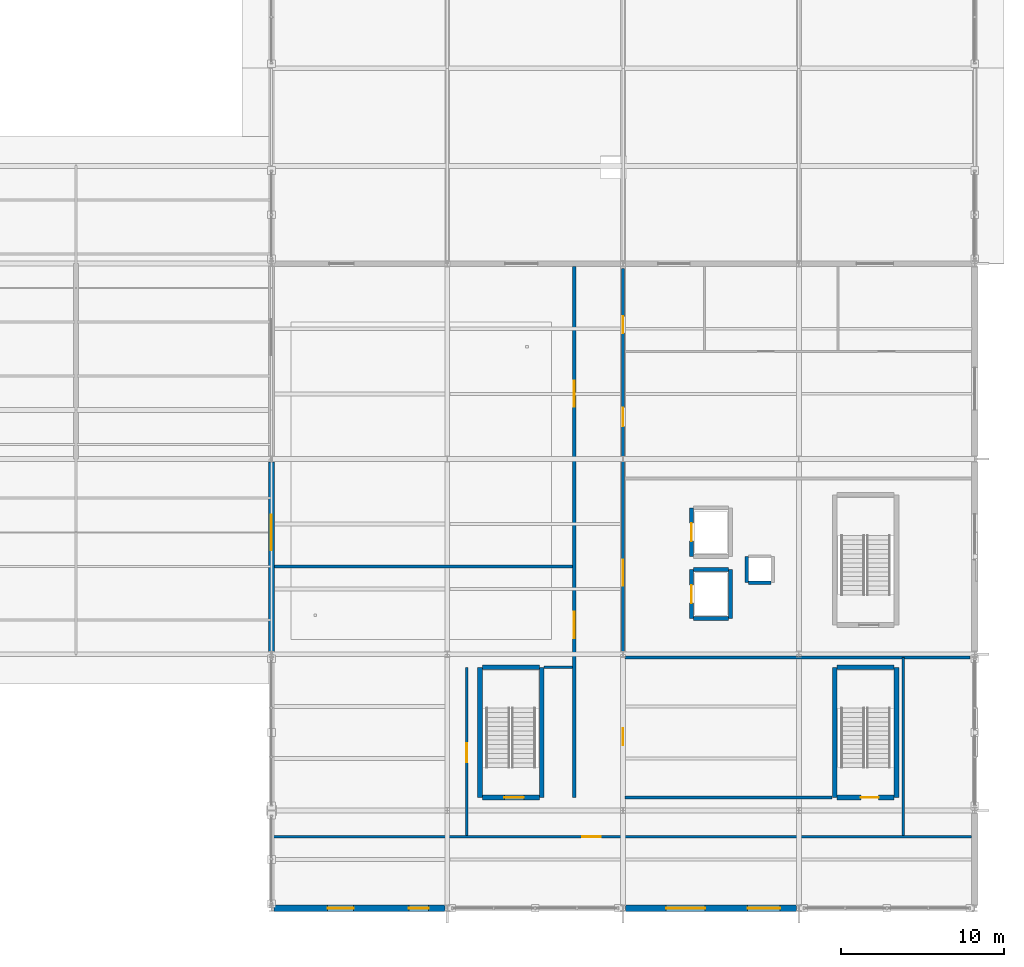
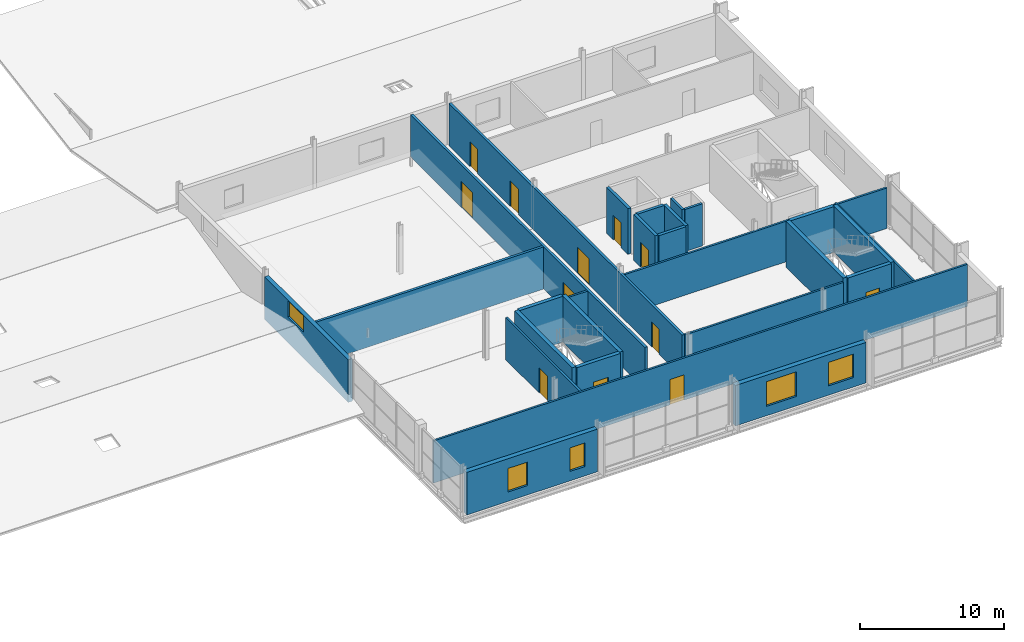
# One storey, part 107 of 117: 27 walls, 12 doors, 5 windows, 17 openings.
"""IFC4 building model written with IfcOpenShell, lengths in metres."""

from ifc_helpers import new_model, si_unit, direction, frame, frame_2d, origin, place, context, subcontext, project, spatial, rectangle, extrude, material, layer, layer_set, type_object, element, fill, save


model = new_model("IFC4")

# Units and contexts
model_context = context("Model", 3, precision=1e-05, world=origin(), true_north=direction((0.0, 1.0)))
body_context = subcontext(model_context, "Body", "Model", "MODEL_VIEW")
ifc_project = project(units=[si_unit("LENGTHUNIT", "METRE"), si_unit("AREAUNIT", "SQUARE_METRE"), si_unit("VOLUMEUNIT", "CUBIC_METRE"), si_unit("PLANEANGLEUNIT", "RADIAN"), si_unit("MASSUNIT", "GRAM", prefix="KILO")], contexts=[model_context])

# Site, building, storey
site_placement = place(None, origin())
site = spatial("IfcSite", under=ifc_project, at=site_placement, CompositionType="ELEMENT")
building_placement = place(site_placement, origin())
building = spatial("IfcBuilding", under=site, at=building_placement, Name="Merenkruunu Market Hall", CompositionType="ELEMENT")
storey_placement = place(building_placement, frame((0.0, 0.0, 10.199951171875)))
storey = spatial("IfcBuildingStorey", under=building, at=storey_placement, Name="L02", CompositionType="ELEMENT", Elevation=10.199951171875)

# Wall, openings, windows
ifc_material_1 = material(Name="Precast concrete C40/50", Category="concrete")
ifc_layer_1 = layer(ifc_material_1, 0.3798828125)
ifc_layer_set_1 = layer_set([ifc_layer_1], Name="Precast concrete C40/50")
wall_type_1 = type_object("IfcWallType", Name="Exterior Envelope Wall EW02", PredefinedType="STANDARD", material=ifc_layer_set_1)
wall_1_placement = place(storey_placement, frame((159.446044921875, 0.0, 0.0), z_axis=(0.0, 0.0, 1.0), x_axis=(-1.0, 0.0, 0.0)))
wall_1 = element("IfcWall", 1, at=wall_1_placement, inside=storey, type_object=wall_type_1, Name="WALL-EXT-L02-0084", PredefinedType="STANDARD", context=body_context, shape_type="SweptSolid", body=[
    extrude(rectangle(XDim=10.491943359375, YDim=0.3798828125, at=frame_2d((5.24609375, 0.0))), origin(), (0.0, 0.0, 1.0), 3.625),
])
opening_1_placement = place(wall_1_placement, frame((1.0, 0.0, 0.800048828125)))
opening_1 = element("IfcOpeningElement", 2, at=opening_1_placement, cuts=wall_1, Name="Opening WN08", PredefinedType="OPENING", context=body_context, shape_type="SweptSolid", body=[
    extrude(rectangle(XDim=1.199951171875, YDim=2.0, at=frame_2d((0.60009765625, 1.0))), frame((0.0, 0.199951171875, 0.0), z_axis=(0.0, -1.0, 0.0), x_axis=(1.0, 0.0, 0.0)), (0.0, 0.0, 1.0), 0.39990234375),
])
opening_2_placement = place(wall_1_placement, frame((5.60009765625, 0.0, 0.800048828125)))
opening_2 = element("IfcOpeningElement", 3, at=opening_2_placement, cuts=wall_1, Name="Opening WN09", PredefinedType="OPENING", context=body_context, shape_type="SweptSolid", body=[
    extrude(rectangle(XDim=1.60009765625, YDim=2.0, at=frame_2d((0.800048828125, 1.0))), frame((0.0, 0.199951171875, 0.0), z_axis=(0.0, -1.0, 0.0), x_axis=(1.0, 0.0, 0.0)), (0.0, 0.0, 1.0), 0.39990234375),
])
ifc_material_2 = material(Name="Triple low-E insulated glass", Category="glass")
ifc_layer_2 = layer(ifc_material_2, 0.06005859375)
ifc_layer_set_2 = layer_set([ifc_layer_2], Name="Triple low-E insulated glass")
window_type_1 = type_object("IfcWindowType", Name="Exterior Window WN08", PartitioningType="SINGLE_PANEL", PredefinedType="WINDOW", material=ifc_layer_set_2)
window_1_placement = place(opening_1_placement, origin())
window_1 = element("IfcWindow", 4, at=window_1_placement, inside=storey, type_object=window_type_1, Name="WIN-L02-0038", OverallHeight=2.0, OverallWidth=1.199951171875, PartitioningType="SINGLE_PANEL", PredefinedType="WINDOW", context=body_context, shape_type="SweptSolid", body=[
    extrude(rectangle(XDim=1.199951171875, YDim=2.0, at=frame_2d((0.60009765625, 1.0))), frame((0.0, 0.030029296875, 0.0), z_axis=(0.0, -1.0, 0.0), x_axis=(1.0, 0.0, 0.0)), (0.0, 0.0, 1.0), 0.06005859375),
])
fill(opening_1, window_1)
ifc_layer_3 = layer(ifc_material_2, 0.06005859375)
ifc_layer_set_3 = layer_set([ifc_layer_3], Name="Triple low-E insulated glass")
window_type_2 = type_object("IfcWindowType", Name="Exterior Window WN09", PartitioningType="SINGLE_PANEL", PredefinedType="WINDOW", material=ifc_layer_set_3)
window_2_placement = place(opening_2_placement, origin())
window_2 = element("IfcWindow", 5, at=window_2_placement, inside=storey, type_object=window_type_2, Name="WIN-L02-0039", OverallHeight=2.0, OverallWidth=1.60009765625, PartitioningType="SINGLE_PANEL", PredefinedType="WINDOW", context=body_context, shape_type="SweptSolid", body=[
    extrude(rectangle(XDim=1.60009765625, YDim=2.0, at=frame_2d((0.800048828125, 1.0))), frame((0.0, 0.030029296875, 0.0), z_axis=(0.0, -1.0, 0.0), x_axis=(1.0, 0.0, 0.0)), (0.0, 0.0, 1.0), 0.06005859375),
])
fill(opening_2, window_2)

wall_2_placement = place(storey_placement, frame((181.0458984375, 0.0, 0.0), z_axis=(0.0, 0.0, 1.0), x_axis=(-1.0, 0.0, 0.0)))
wall_2 = element("IfcWall", 6, at=wall_2_placement, inside=storey, type_object=wall_type_1, Name="WALL-EXT-L02-0085", PredefinedType="STANDARD", context=body_context, shape_type="SweptSolid", body=[
    extrude(rectangle(XDim=10.491943359375, YDim=0.3798828125, at=frame_2d((5.24609375, 0.0))), origin(), (0.0, 0.0, 1.0), 3.445068359375),
])
opening_3_placement = place(wall_2_placement, frame((1.0, 0.0, 0.800048828125)))
opening_3 = element("IfcOpeningElement", 7, at=opening_3_placement, cuts=wall_2, Name="Opening WN10", PredefinedType="OPENING", context=body_context, shape_type="SweptSolid", body=[
    extrude(rectangle(XDim=2.0, YDim=2.0, at=frame_2d((1.0, 1.0))), frame((0.0, 0.199951171875, 0.0), z_axis=(0.0, -1.0, 0.0), x_axis=(1.0, 0.0, 0.0)), (0.0, 0.0, 1.0), 0.39990234375),
])
opening_4_placement = place(wall_2_placement, frame((5.60009765625, 0.0, 0.800048828125)))
opening_4 = element("IfcOpeningElement", 8, at=opening_4_placement, cuts=wall_2, Name="Opening WN11", PredefinedType="OPENING", context=body_context, shape_type="SweptSolid", body=[
    extrude(rectangle(XDim=2.39990234375, YDim=2.10009765625, at=frame_2d((1.199951171875, 1.050048828125))), frame((0.0, 0.199951171875, 0.0), z_axis=(0.0, -1.0, 0.0), x_axis=(1.0, 0.0, 0.0)), (0.0, 0.0, 1.0), 0.39990234375),
])
ifc_layer_4 = layer(ifc_material_2, 0.06005859375)
ifc_layer_set_4 = layer_set([ifc_layer_4], Name="Triple low-E insulated glass")
window_type_3 = type_object("IfcWindowType", Name="Exterior Window WN10", PartitioningType="SINGLE_PANEL", PredefinedType="WINDOW", material=ifc_layer_set_4)
window_3_placement = place(opening_3_placement, origin())
window_3 = element("IfcWindow", 9, at=window_3_placement, inside=storey, type_object=window_type_3, Name="WIN-L02-0040", OverallHeight=2.0, OverallWidth=2.0, PartitioningType="SINGLE_PANEL", PredefinedType="WINDOW", context=body_context, shape_type="SweptSolid", body=[
    extrude(rectangle(XDim=2.0, YDim=2.0, at=frame_2d((1.0, 1.0))), frame((0.0, 0.030029296875, 0.0), z_axis=(0.0, -1.0, 0.0), x_axis=(1.0, 0.0, 0.0)), (0.0, 0.0, 1.0), 0.06005859375),
])
fill(opening_3, window_3)
ifc_layer_5 = layer(ifc_material_2, 0.06005859375)
ifc_layer_set_5 = layer_set([ifc_layer_5], Name="Triple low-E insulated glass")
window_type_4 = type_object("IfcWindowType", Name="Exterior Window WN11", PartitioningType="SINGLE_PANEL", PredefinedType="WINDOW", material=ifc_layer_set_5)
window_4_placement = place(opening_4_placement, origin())
window_4 = element("IfcWindow", 10, at=window_4_placement, inside=storey, type_object=window_type_4, Name="WIN-L02-0041", OverallHeight=2.10009765625, OverallWidth=2.39990234375, PartitioningType="SINGLE_PANEL", PredefinedType="WINDOW", context=body_context, shape_type="SweptSolid", body=[
    extrude(rectangle(XDim=2.39990234375, YDim=2.10009765625, at=frame_2d((1.199951171875, 1.050048828125))), frame((0.0, 0.030029296875, 0.0), z_axis=(0.0, -1.0, 0.0), x_axis=(1.0, 0.0, 0.0)), (0.0, 0.0, 1.0), 0.06005859375),
])
fill(opening_4, window_4)

# Wall, opening, window
ifc_layer_6 = layer(ifc_material_1, 0.340087890625)
ifc_layer_set_6 = layer_set([ifc_layer_6], Name="Precast concrete C40/50")
wall_type_2 = type_object("IfcWallType", Name="Exterior Envelope Wall EW03", PredefinedType="STANDARD", material=ifc_layer_set_6)
wall_3_placement = place(storey_placement, frame((148.800048828125, 15.779052734375, 0.0), z_axis=(0.0, 0.0, 1.0), x_axis=(0.0, 1.0, 0.0)))
wall_3 = element("IfcWall", 11, at=wall_3_placement, inside=storey, type_object=wall_type_2, Name="WALL-EXT-L02-0093", PredefinedType="STANDARD", context=body_context, shape_type="SweptSolid", body=[
    extrude(rectangle(XDim=11.641845703125, YDim=0.340087890625, at=frame_2d((5.82080078125, 0.0))), origin(), (0.0, 0.0, 1.0), 3.625),
])
opening_5_placement = place(wall_3_placement, frame((6.199951171875, 0.0, 2.179931640625)))
opening_5 = element("IfcOpeningElement", 12, at=opening_5_placement, cuts=wall_3, Name="Opening WN15", PredefinedType="OPENING", context=body_context, shape_type="SweptSolid", body=[
    extrude(rectangle(XDim=2.199951171875, YDim=1.39990234375, at=frame_2d((1.10009765625, 0.699951171875))), frame((0.0, 0.18017578125, 0.0), z_axis=(0.0, -1.0, 0.0), x_axis=(1.0, 0.0, 0.0)), (0.0, 0.0, 1.0), 0.360107421875),
])
ifc_layer_7 = layer(ifc_material_2, 0.06005859375)
ifc_layer_set_7 = layer_set([ifc_layer_7], Name="Triple low-E insulated glass")
window_type_5 = type_object("IfcWindowType", Name="Exterior Window WN15", PartitioningType="SINGLE_PANEL", PredefinedType="WINDOW", material=ifc_layer_set_7)
window_5_placement = place(opening_5_placement, origin())
window_5 = element("IfcWindow", 13, at=window_5_placement, inside=storey, type_object=window_type_5, Name="WIN-L02-0048", OverallHeight=1.39990234375, OverallWidth=2.199951171875, PartitioningType="SINGLE_PANEL", PredefinedType="WINDOW", context=body_context, shape_type="SweptSolid", body=[
    extrude(rectangle(XDim=2.199951171875, YDim=1.39990234375, at=frame_2d((1.10009765625, 0.699951171875))), frame((0.0, 0.030029296875, 0.0), z_axis=(0.0, -1.0, 0.0), x_axis=(1.0, 0.0, 0.0)), (0.0, 0.0, 1.0), 0.06005859375),
])
fill(opening_5, window_5)

# Wall, openings, doors
ifc_material_3 = material(Name="Gypsum fire compartment board")
ifc_layer_8 = layer(ifc_material_3, 0.199951171875)
ifc_layer_set_8 = layer_set([ifc_layer_8], Name="Gypsum fire compartment board")
wall_type_3 = type_object("IfcWallType", Name="Interior Partition Wall FW02", PredefinedType="PARTITIONING", material=ifc_layer_set_8)
wall_4_placement = place(storey_placement, frame((167.39990234375, 6.800048828125, 0.0), z_axis=(0.0, 0.0, 1.0), x_axis=(0.0, 1.0, 0.0)))
wall_4 = element("IfcWall", 14, at=wall_4_placement, inside=storey, type_object=wall_type_3, Name="WALL-INT-L02-0074", PredefinedType="PARTITIONING", context=body_context, shape_type="SweptSolid", body=[
    extrude(rectangle(XDim=32.6279296875, YDim=0.199951171875, at=frame_2d((16.31396484375, 0.0))), origin(), (0.0, 0.0, 1.0), 3.580078125),
])
opening_6_placement = place(wall_4_placement, frame((9.800048828125, 0.0, 0.0)))
opening_6 = element("IfcOpeningElement", 15, at=opening_6_placement, cuts=wall_4, Name="Opening FD05", PredefinedType="OPENING", context=body_context, shape_type="SweptSolid", body=[
    extrude(rectangle(XDim=1.60009765625, YDim=2.199951171875, at=frame_2d((0.800048828125, 1.10009765625))), frame((0.0, 0.10986328125, 0.0), z_axis=(0.0, -1.0, 0.0), x_axis=(1.0, 0.0, 0.0)), (0.0, 0.0, 1.0), 0.219970703125),
])
opening_7_placement = place(wall_4_placement, frame((24.0, 0.0, 0.0)))
opening_7 = element("IfcOpeningElement", 16, at=opening_7_placement, cuts=wall_4, Name="Opening FD05", PredefinedType="OPENING", context=body_context, shape_type="SweptSolid", body=[
    extrude(rectangle(XDim=1.60009765625, YDim=2.199951171875, at=frame_2d((0.800048828125, 1.10009765625))), frame((0.0, 0.10986328125, 0.0), z_axis=(0.0, -1.0, 0.0), x_axis=(1.0, 0.0, 0.0)), (0.0, 0.0, 1.0), 0.219970703125),
])
ifc_material_4 = material(Name="Powder-coated aluminium", Category="aluminium")
door_type_1 = type_object("IfcDoorType", Name="Fire Compartment Door FD05", OperationType="NOTDEFINED", PredefinedType="DOOR", material=ifc_material_4)
door_1_placement = place(opening_6_placement, origin())
door_1 = element("IfcDoor", 17, at=door_1_placement, inside=storey, type_object=door_type_1, Name="DR-L02-072", OperationType="SINGLE_SWING_RIGHT", OverallHeight=2.199951171875, OverallWidth=1.60009765625, PredefinedType="DOOR", context=body_context, shape_type="SweptSolid", body=[
    extrude(rectangle(XDim=1.60009765625, YDim=2.199951171875, at=frame_2d((0.800048828125, 1.10009765625))), frame((0.0, 0.02490234375, 0.0), z_axis=(0.0, -1.0, 0.0), x_axis=(1.0, 0.0, 0.0)), (0.0, 0.0, 1.0), 0.050048828125),
])
fill(opening_6, door_1)
door_2_placement = place(opening_7_placement, origin())
door_2 = element("IfcDoor", 18, at=door_2_placement, inside=storey, type_object=door_type_1, Name="DR-L02-073", OperationType="SINGLE_SWING_LEFT", OverallHeight=2.199951171875, OverallWidth=1.60009765625, PredefinedType="DOOR", context=body_context, shape_type="SweptSolid", body=[
    extrude(rectangle(XDim=1.60009765625, YDim=2.199951171875, at=frame_2d((0.800048828125, 1.10009765625))), frame((0.0, 0.02490234375, 0.0), z_axis=(0.0, -1.0, 0.0), x_axis=(1.0, 0.0, 0.0)), (0.0, 0.0, 1.0), 0.050048828125),
])
fill(opening_7, door_2)

# Wall
wall_5_placement = place(storey_placement, frame((148.971923828125, 21.0, 0.0), z_axis=(0.0, 0.0, 1.0), x_axis=(1.0, 0.0, 0.0)))
element("IfcWall", 19, at=wall_5_placement, inside=storey, type_object=wall_type_3, Name="WALL-INT-L02-0077", PredefinedType="PARTITIONING", context=body_context, shape_type="SweptSolid", body=[
    extrude(rectangle(XDim=18.326171875, YDim=0.199951171875, at=frame_2d((9.1630859375, 0.0))), origin(), (0.0, 0.0, 1.0), 3.580078125),
])

# Wall, openings, doors
wall_6_placement = place(storey_placement, frame((170.39990234375, 6.800048828125, 0.0), z_axis=(0.0, 0.0, 1.0), x_axis=(0.0, 1.0, 0.0)))
wall_6 = element("IfcWall", 20, at=wall_6_placement, inside=storey, type_object=wall_type_3, Name="WALL-INT-L02-0078", PredefinedType="PARTITIONING", context=body_context, shape_type="SweptSolid", body=[
    extrude(rectangle(XDim=32.5, YDim=0.199951171875, at=frame_2d((16.25, 0.0))), origin(), (0.0, 0.0, 1.0), 3.580078125),
])
opening_8_placement = place(wall_6_placement, frame((3.199951171875, 0.0, 0.0)))
opening_8 = element("IfcOpeningElement", 21, at=opening_8_placement, cuts=wall_6, Name="Opening D03", PredefinedType="OPENING", context=body_context, shape_type="SweptSolid", body=[
    extrude(rectangle(XDim=1.050048828125, YDim=2.14990234375, at=frame_2d((0.52490234375, 1.074951171875))), frame((0.0, 0.10986328125, 0.0), z_axis=(0.0, -1.0, 0.0), x_axis=(1.0, 0.0, 0.0)), (0.0, 0.0, 1.0), 0.219970703125),
])
opening_9_placement = place(wall_6_placement, frame((13.0, 0.0, 0.0)))
opening_9 = element("IfcOpeningElement", 22, at=opening_9_placement, cuts=wall_6, Name="Opening FD05", PredefinedType="OPENING", context=body_context, shape_type="SweptSolid", body=[
    extrude(rectangle(XDim=1.60009765625, YDim=2.199951171875, at=frame_2d((0.800048828125, 1.10009765625))), frame((0.0, 0.10986328125, 0.0), z_axis=(0.0, -1.0, 0.0), x_axis=(1.0, 0.0, 0.0)), (0.0, 0.0, 1.0), 0.219970703125),
])
opening_10_placement = place(wall_6_placement, frame((22.800048828125, 0.0, 0.0)))
opening_10 = element("IfcOpeningElement", 23, at=opening_10_placement, cuts=wall_6, Name="Opening D04", PredefinedType="OPENING", context=body_context, shape_type="SweptSolid", body=[
    extrude(rectangle(XDim=1.14990234375, YDim=2.14990234375, at=frame_2d((0.574951171875, 1.074951171875))), frame((0.0, 0.10986328125, 0.0), z_axis=(0.0, -1.0, 0.0), x_axis=(1.0, 0.0, 0.0)), (0.0, 0.0, 1.0), 0.219970703125),
])
opening_11_placement = place(wall_6_placement, frame((28.532958984375, 0.0, 0.0)))
opening_11 = element("IfcOpeningElement", 24, at=opening_11_placement, cuts=wall_6, Name="Opening D08", PredefinedType="OPENING", context=body_context, shape_type="SweptSolid", body=[
    extrude(rectangle(XDim=1.02001953125, YDim=2.1201171875, at=frame_2d((0.510009765625, 1.06005859375))), frame((0.0, 0.10986328125, 0.0), z_axis=(0.0, -1.0, 0.0), x_axis=(1.0, 0.0, 0.0)), (0.0, 0.0, 1.0), 0.219970703125),
])
ifc_material_5 = material(Name="Lacquered Nordic birch")
door_type_2 = type_object("IfcDoorType", Name="Accessible Sanitary Door D08", OperationType="NOTDEFINED", PredefinedType="DOOR", material=ifc_material_5)
door_3_placement = place(opening_11_placement, origin())
door_3 = element("IfcDoor", 25, at=door_3_placement, inside=storey, type_object=door_type_2, Name="DR-L02-078", OperationType="SINGLE_SWING_RIGHT", OverallHeight=2.1201171875, OverallWidth=1.02001953125, PredefinedType="DOOR", context=body_context, shape_type="SweptSolid", body=[
    extrude(rectangle(XDim=1.02001953125, YDim=2.1201171875, at=frame_2d((0.510009765625, 1.06005859375))), frame((0.0, 0.02490234375, 0.0), z_axis=(0.0, -1.0, 0.0), x_axis=(1.0, 0.0, 0.0)), (0.0, 0.0, 1.0), 0.050048828125),
])
fill(opening_11, door_3)
door_4_placement = place(opening_9_placement, origin())
door_4 = element("IfcDoor", 26, at=door_4_placement, inside=storey, type_object=door_type_1, Name="DR-L02-076", OperationType="SINGLE_SWING_RIGHT", OverallHeight=2.199951171875, OverallWidth=1.60009765625, PredefinedType="DOOR", context=body_context, shape_type="SweptSolid", body=[
    extrude(rectangle(XDim=1.60009765625, YDim=2.199951171875, at=frame_2d((0.800048828125, 1.10009765625))), frame((0.0, 0.02490234375, 0.0), z_axis=(0.0, -1.0, 0.0), x_axis=(1.0, 0.0, 0.0)), (0.0, 0.0, 1.0), 0.050048828125),
])
fill(opening_9, door_4)
door_type_3 = type_object("IfcDoorType", Name="Pedestrian Room Door D03", OperationType="NOTDEFINED", PredefinedType="DOOR", material=ifc_material_5)
door_5_placement = place(opening_8_placement, origin())
door_5 = element("IfcDoor", 27, at=door_5_placement, inside=storey, type_object=door_type_3, Name="DR-L02-075", OperationType="SINGLE_SWING_LEFT", OverallHeight=2.14990234375, OverallWidth=1.050048828125, PredefinedType="DOOR", context=body_context, shape_type="SweptSolid", body=[
    extrude(rectangle(XDim=1.050048828125, YDim=2.14990234375, at=frame_2d((0.52490234375, 1.074951171875))), frame((0.0, 0.02490234375, 0.0), z_axis=(0.0, -1.0, 0.0), x_axis=(1.0, 0.0, 0.0)), (0.0, 0.0, 1.0), 0.050048828125),
])
fill(opening_8, door_5)
door_type_4 = type_object("IfcDoorType", Name="Pedestrian Room Door D04", OperationType="NOTDEFINED", PredefinedType="DOOR", material=ifc_material_5)
door_6_placement = place(opening_10_placement, origin())
door_6 = element("IfcDoor", 28, at=door_6_placement, inside=storey, type_object=door_type_4, Name="DR-L02-077", OperationType="SINGLE_SWING_LEFT", OverallHeight=2.14990234375, OverallWidth=1.14990234375, PredefinedType="DOOR", context=body_context, shape_type="SweptSolid", body=[
    extrude(rectangle(XDim=1.14990234375, YDim=2.14990234375, at=frame_2d((0.574951171875, 1.074951171875))), frame((0.0, 0.02490234375, 0.0), z_axis=(0.0, -1.0, 0.0), x_axis=(1.0, 0.0, 0.0)), (0.0, 0.0, 1.0), 0.050048828125),
])
fill(opening_10, door_6)

# Walls
wall_7_placement = place(storey_placement, frame((178.10205078125, 20.0, 0.0), z_axis=(0.0, 0.0, 1.0), x_axis=(1.0, 0.0, 0.0)))
element("IfcWall", 29, at=wall_7_placement, inside=storey, type_object=wall_type_3, Name="WALL-INT-L02-0135", PredefinedType="PARTITIONING", context=body_context, shape_type="SweptSolid", body=[
    extrude(rectangle(XDim=1.39599609375, YDim=0.199951171875, at=frame_2d((0.697998046875, 0.0))), origin(), (0.0, 0.0, 1.0), 3.580078125),
])
wall_8_placement = place(storey_placement, frame((178.0, 21.60009765625, 0.0), z_axis=(0.0, 0.0, 1.0), x_axis=(0.0, -1.0, 0.0)))
element("IfcWall", 30, at=wall_8_placement, inside=storey, type_object=wall_type_3, Name="WALL-INT-L02-0138", PredefinedType="PARTITIONING", context=body_context, shape_type="SweptSolid", body=[
    extrude(rectangle(XDim=1.60009765625, YDim=0.199951171875, at=frame_2d((0.800048828125, 0.0))), origin(), (0.0, 0.0, 1.0), 3.580078125),
])

# Wall, opening, door
ifc_material_6 = material(Name="Gypsum acoustic partition board")
ifc_layer_9 = layer(ifc_material_6, 0.159912109375)
ifc_layer_set_9 = layer_set([ifc_layer_9], Name="Gypsum acoustic partition board")
wall_type_4 = type_object("IfcWallType", Name="Interior Partition Wall PW01", PredefinedType="PARTITIONING", material=ifc_layer_set_9)
wall_9_placement = place(storey_placement, frame((148.882080078125, 4.39990234375, 0.0), z_axis=(0.0, 0.0, 1.0), x_axis=(1.0, 0.0, 0.0)))
wall_9 = element("IfcWall", 31, at=wall_9_placement, inside=storey, type_object=wall_type_4, Name="WALL-INT-L02-0073", PredefinedType="PARTITIONING", context=body_context, shape_type="SweptSolid", body=[
    extrude(rectangle(XDim=42.926025390625, YDim=0.159912109375, at=frame_2d((21.462890625, 0.0))), origin(), (0.0, 0.0, 1.0), 3.580078125),
])
opening_12_placement = place(wall_9_placement, frame((19.0, 0.0, 0.0)))
opening_12 = element("IfcOpeningElement", 32, at=opening_12_placement, cuts=wall_9, Name="Opening D04", PredefinedType="OPENING", context=body_context, shape_type="SweptSolid", body=[
    extrude(rectangle(XDim=1.14990234375, YDim=2.14990234375, at=frame_2d((0.574951171875, 1.074951171875))), frame((0.0, 0.08984375, 0.0), z_axis=(0.0, -1.0, 0.0), x_axis=(1.0, 0.0, 0.0)), (0.0, 0.0, 1.0), 0.179931640625),
])
door_7_placement = place(opening_12_placement, origin())
door_7 = element("IfcDoor", 33, at=door_7_placement, inside=storey, type_object=door_type_4, Name="DR-L02-071", OperationType="SINGLE_SWING_LEFT", OverallHeight=2.14990234375, OverallWidth=1.14990234375, PredefinedType="DOOR", context=body_context, shape_type="SweptSolid", body=[
    extrude(rectangle(XDim=1.14990234375, YDim=2.14990234375, at=frame_2d((0.574951171875, 1.074951171875))), frame((0.0, 0.02490234375, 0.0), z_axis=(0.0, -1.0, 0.0), x_axis=(1.0, 0.0, 0.0)), (0.0, 0.0, 1.0), 0.050048828125),
])
fill(opening_12, door_7)

wall_10_placement = place(storey_placement, frame((160.800048828125, 4.48193359375, 0.0), z_axis=(0.0, 0.0, 1.0), x_axis=(0.0, 1.0, 0.0)))
wall_10 = element("IfcWall", 34, at=wall_10_placement, inside=storey, type_object=wall_type_4, Name="WALL-INT-L02-0075", PredefinedType="PARTITIONING", context=body_context, shape_type="SweptSolid", body=[
    extrude(rectangle(XDim=10.318115234375, YDim=0.159912109375, at=frame_2d((5.1591796875, 0.0))), origin(), (0.0, 0.0, 1.0), 3.580078125),
])
opening_13_placement = place(wall_10_placement, frame((4.5, 0.0, 0.0)))
opening_13 = element("IfcOpeningElement", 35, at=opening_13_placement, cuts=wall_10, Name="Opening D04", PredefinedType="OPENING", context=body_context, shape_type="SweptSolid", body=[
    extrude(rectangle(XDim=1.14990234375, YDim=2.14990234375, at=frame_2d((0.574951171875, 1.074951171875))), frame((0.0, 0.08984375, 0.0), z_axis=(0.0, -1.0, 0.0), x_axis=(1.0, 0.0, 0.0)), (0.0, 0.0, 1.0), 0.179931640625),
])
door_8_placement = place(opening_13_placement, origin())
door_8 = element("IfcDoor", 36, at=door_8_placement, inside=storey, type_object=door_type_4, Name="DR-L02-074", OperationType="SINGLE_SWING_RIGHT", OverallHeight=2.14990234375, OverallWidth=1.14990234375, PredefinedType="DOOR", context=body_context, shape_type="SweptSolid", body=[
    extrude(rectangle(XDim=1.14990234375, YDim=2.14990234375, at=frame_2d((0.574951171875, 1.074951171875))), frame((0.0, 0.02490234375, 0.0), z_axis=(0.0, -1.0, 0.0), x_axis=(1.0, 0.0, 0.0)), (0.0, 0.0, 1.0), 0.050048828125),
])
fill(opening_13, door_8)

# Walls
wall_11_placement = place(storey_placement, frame((165.552001953125, 14.800048828125, 0.0), z_axis=(0.0, 0.0, 1.0), x_axis=(1.0, 0.0, 0.0)))
element("IfcWall", 37, at=wall_11_placement, inside=storey, type_object=wall_type_4, Name="WALL-INT-L02-0076", PredefinedType="PARTITIONING", context=body_context, shape_type="SweptSolid", body=[
    extrude(rectangle(XDim=1.74609375, YDim=0.159912109375, at=frame_2d((0.873046875, 0.0))), origin(), (0.0, 0.0, 1.0), 3.580078125),
])
wall_12_placement = place(storey_placement, frame((170.501953125, 6.800048828125, 0.0), z_axis=(0.0, 0.0, 1.0), x_axis=(1.0, 0.0, 0.0)))
element("IfcWall", 38, at=wall_12_placement, inside=storey, type_object=wall_type_4, Name="WALL-INT-L02-0079", PredefinedType="PARTITIONING", context=body_context, shape_type="SweptSolid", body=[
    extrude(rectangle(XDim=12.74609375, YDim=0.159912109375, at=frame_2d((6.373046875, 0.0))), origin(), (0.0, 0.0, 1.0), 3.580078125),
])
wall_13_placement = place(storey_placement, frame((187.60009765625, 4.48193359375, 0.0), z_axis=(0.0, 0.0, 1.0), x_axis=(0.0, 1.0, 0.0)))
element("IfcWall", 39, at=wall_13_placement, inside=storey, type_object=wall_type_4, Name="WALL-INT-L02-0080", PredefinedType="PARTITIONING", context=body_context, shape_type="SweptSolid", body=[
    extrude(rectangle(XDim=10.91796875, YDim=0.159912109375, at=frame_2d((5.458984375, 0.0))), origin(), (0.0, 0.0, 1.0), 3.580078125),
])
wall_14_placement = place(storey_placement, frame((170.501953125, 15.39990234375, 0.0), z_axis=(0.0, 0.0, 1.0), x_axis=(1.0, 0.0, 0.0)))
element("IfcWall", 40, at=wall_14_placement, inside=storey, type_object=wall_type_4, Name="WALL-INT-L02-0081", PredefinedType="PARTITIONING", context=body_context, shape_type="SweptSolid", body=[
    extrude(rectangle(XDim=21.197998046875, YDim=0.159912109375, at=frame_2d((10.59912109375, 0.0))), origin(), (0.0, 0.0, 1.0), 3.445068359375),
])

# Wall, opening, door
ifc_material_7 = material(Name="Concrete C35/45", Category="concrete")
ifc_layer_10 = layer(ifc_material_7, 0.300048828125)
ifc_layer_set_10 = layer_set([ifc_layer_10], Name="Concrete C35/45")
wall_type_5 = type_object("IfcWallType", Name="Structural Shear Wall SW02", PredefinedType="SHEAR", material=ifc_layer_set_10)
wall_15_placement = place(storey_placement, frame((187.050048828125, 6.800048828125, 0.0), z_axis=(0.0, 0.0, 1.0), x_axis=(-1.0, 0.0, 0.0)))
wall_15 = element("IfcWall", 41, at=wall_15_placement, inside=storey, type_object=wall_type_5, Name="WALL-CORE-K5-L02-S", PredefinedType="SHEAR", context=body_context, shape_type="SweptSolid", body=[
    extrude(rectangle(XDim=3.5, YDim=0.300048828125, at=frame_2d((1.75, 0.0))), origin(), (0.0, 0.0, 1.0), 3.89013671875),
])
opening_14_placement = place(wall_15_placement, frame((0.949951171875, 0.0, 0.0)))
opening_14 = element("IfcOpeningElement", 42, at=opening_14_placement, cuts=wall_15, Name="Opening FD02", PredefinedType="OPENING", context=body_context, shape_type="SweptSolid", body=[
    extrude(rectangle(XDim=1.10009765625, YDim=2.14990234375, at=frame_2d((0.550048828125, 1.074951171875))), frame((0.0, 0.16015625, 0.0), z_axis=(0.0, -1.0, 0.0), x_axis=(1.0, 0.0, 0.0)), (0.0, 0.0, 1.0), 0.320068359375),
])
door_type_5 = type_object("IfcDoorType", Name="Fire Compartment Door FD02", OperationType="NOTDEFINED", PredefinedType="DOOR", material=ifc_material_4)
door_9_placement = place(opening_14_placement, origin())
door_9 = element("IfcDoor", 43, at=door_9_placement, inside=storey, type_object=door_type_5, Name="DR-L02-113", OperationType="SINGLE_SWING_LEFT", OverallHeight=2.14990234375, OverallWidth=1.10009765625, PredefinedType="DOOR", context=body_context, shape_type="SweptSolid", body=[
    extrude(rectangle(XDim=1.10009765625, YDim=2.14990234375, at=frame_2d((0.550048828125, 1.074951171875))), frame((0.0, 0.02490234375, 0.0), z_axis=(0.0, -1.0, 0.0), x_axis=(1.0, 0.0, 0.0)), (0.0, 0.0, 1.0), 0.050048828125),
])
fill(opening_14, door_9)

# Walls
wall_16_placement = place(storey_placement, frame((187.199951171875, 6.800048828125, 0.0), z_axis=(0.0, 0.0, 1.0), x_axis=(0.0, 1.0, 0.0)))
element("IfcWall", 44, at=wall_16_placement, inside=storey, type_object=wall_type_5, Name="WALL-CORE-K5-L02-E", PredefinedType="SHEAR", context=body_context, shape_type="SweptSolid", body=[
    extrude(rectangle(XDim=8.0, YDim=0.300048828125, at=frame_2d((4.0, 0.0))), origin(), (0.0, 0.0, 1.0), 3.89013671875),
])
wall_17_placement = place(storey_placement, frame((187.050048828125, 14.800048828125, 0.0), z_axis=(0.0, 0.0, 1.0), x_axis=(-1.0, 0.0, 0.0)))
element("IfcWall", 45, at=wall_17_placement, inside=storey, type_object=wall_type_5, Name="WALL-CORE-K5-L02-N", PredefinedType="SHEAR", context=body_context, shape_type="SweptSolid", body=[
    extrude(rectangle(XDim=3.5, YDim=0.300048828125, at=frame_2d((1.75, 0.0))), origin(), (0.0, 0.0, 1.0), 3.89013671875),
])
wall_18_placement = place(storey_placement, frame((183.39990234375, 14.800048828125, 0.0), z_axis=(0.0, 0.0, 1.0), x_axis=(0.0, -1.0, 0.0)))
element("IfcWall", 46, at=wall_18_placement, inside=storey, type_object=wall_type_5, Name="WALL-CORE-K5-L02-W", PredefinedType="SHEAR", context=body_context, shape_type="SweptSolid", body=[
    extrude(rectangle(XDim=8.0, YDim=0.300048828125, at=frame_2d((4.0, 0.0))), origin(), (0.0, 0.0, 1.0), 3.89013671875),
])

# Wall, opening, door
wall_19_placement = place(storey_placement, frame((165.25, 6.800048828125, 0.0), z_axis=(0.0, 0.0, 1.0), x_axis=(-1.0, 0.0, 0.0)))
wall_19 = element("IfcWall", 47, at=wall_19_placement, inside=storey, type_object=wall_type_5, Name="WALL-CORE-K9-L02-S", PredefinedType="SHEAR", context=body_context, shape_type="SweptSolid", body=[
    extrude(rectangle(XDim=3.5, YDim=0.300048828125, at=frame_2d((1.75, 0.0))), origin(), (0.0, 0.0, 1.0), 3.89013671875),
])
opening_15_placement = place(wall_19_placement, frame((0.949951171875, 0.0, 0.0)))
opening_15 = element("IfcOpeningElement", 48, at=opening_15_placement, cuts=wall_19, Name="Opening FD03", PredefinedType="OPENING", context=body_context, shape_type="SweptSolid", body=[
    extrude(rectangle(XDim=1.199951171875, YDim=2.199951171875, at=frame_2d((0.60009765625, 1.10009765625))), frame((0.0, 0.16015625, 0.0), z_axis=(0.0, -1.0, 0.0), x_axis=(1.0, 0.0, 0.0)), (0.0, 0.0, 1.0), 0.320068359375),
])
door_type_6 = type_object("IfcDoorType", Name="Fire Compartment Door FD03", OperationType="NOTDEFINED", PredefinedType="DOOR", material=ifc_material_4)
door_10_placement = place(opening_15_placement, origin())
door_10 = element("IfcDoor", 49, at=door_10_placement, inside=storey, type_object=door_type_6, Name="DR-L02-127", OperationType="SINGLE_SWING_LEFT", OverallHeight=2.199951171875, OverallWidth=1.199951171875, PredefinedType="DOOR", context=body_context, shape_type="SweptSolid", body=[
    extrude(rectangle(XDim=1.199951171875, YDim=2.199951171875, at=frame_2d((0.60009765625, 1.10009765625))), frame((0.0, 0.02490234375, 0.0), z_axis=(0.0, -1.0, 0.0), x_axis=(1.0, 0.0, 0.0)), (0.0, 0.0, 1.0), 0.050048828125),
])
fill(opening_15, door_10)

# Walls
wall_20_placement = place(storey_placement, frame((165.39990234375, 6.800048828125, 0.0), z_axis=(0.0, 0.0, 1.0), x_axis=(0.0, 1.0, 0.0)))
element("IfcWall", 50, at=wall_20_placement, inside=storey, type_object=wall_type_5, Name="WALL-CORE-K9-L02-E", PredefinedType="SHEAR", context=body_context, shape_type="SweptSolid", body=[
    extrude(rectangle(XDim=8.0, YDim=0.300048828125, at=frame_2d((4.0, 0.0))), origin(), (0.0, 0.0, 1.0), 3.89013671875),
])
wall_21_placement = place(storey_placement, frame((165.25, 14.800048828125, 0.0), z_axis=(0.0, 0.0, 1.0), x_axis=(-1.0, 0.0, 0.0)))
element("IfcWall", 51, at=wall_21_placement, inside=storey, type_object=wall_type_5, Name="WALL-CORE-K9-L02-N", PredefinedType="SHEAR", context=body_context, shape_type="SweptSolid", body=[
    extrude(rectangle(XDim=3.5, YDim=0.300048828125, at=frame_2d((1.75, 0.0))), origin(), (0.0, 0.0, 1.0), 3.89013671875),
])
wall_22_placement = place(storey_placement, frame((161.60009765625, 14.800048828125, 0.0), z_axis=(0.0, 0.0, 1.0), x_axis=(0.0, -1.0, 0.0)))
element("IfcWall", 52, at=wall_22_placement, inside=storey, type_object=wall_type_5, Name="WALL-CORE-K9-L02-W", PredefinedType="SHEAR", context=body_context, shape_type="SweptSolid", body=[
    extrude(rectangle(XDim=8.0, YDim=0.300048828125, at=frame_2d((4.0, 0.0))), origin(), (0.0, 0.0, 1.0), 3.89013671875),
])
ifc_layer_11 = layer(ifc_material_7, 0.239990234375)
ifc_layer_set_11 = layer_set([ifc_layer_11], Name="Concrete C35/45")
wall_type_6 = type_object("IfcWallType", Name="Structural Shear Wall SW04", PredefinedType="SHEAR", material=ifc_layer_set_11)
wall_23_placement = place(storey_placement, frame((174.719970703125, 17.800048828125, 0.0), z_axis=(0.0, 0.0, 1.0), x_axis=(1.0, 0.0, 0.0)))
element("IfcWall", 53, at=wall_23_placement, inside=storey, type_object=wall_type_6, Name="WALL-LIFT-LP4-L02-S", PredefinedType="SHEAR", context=body_context, shape_type="SweptSolid", body=[
    extrude(rectangle(XDim=2.159912109375, YDim=0.239990234375, at=frame_2d((1.080078125, 0.0))), origin(), (0.0, 0.0, 1.0), 3.89013671875),
])
wall_24_placement = place(storey_placement, frame((177.0, 17.800048828125, 0.0), z_axis=(0.0, 0.0, 1.0), x_axis=(0.0, 1.0, 0.0)))
element("IfcWall", 54, at=wall_24_placement, inside=storey, type_object=wall_type_6, Name="WALL-LIFT-LP4-L02-E", PredefinedType="SHEAR", context=body_context, shape_type="SweptSolid", body=[
    extrude(rectangle(XDim=3.0, YDim=0.239990234375, at=frame_2d((1.5, 0.0))), origin(), (0.0, 0.0, 1.0), 3.89013671875),
])
wall_25_placement = place(storey_placement, frame((176.8798828125, 20.800048828125, 0.0), z_axis=(0.0, 0.0, 1.0), x_axis=(-1.0, 0.0, 0.0)))
element("IfcWall", 55, at=wall_25_placement, inside=storey, type_object=wall_type_6, Name="WALL-LIFT-LP4-L02-N", PredefinedType="SHEAR", context=body_context, shape_type="SweptSolid", body=[
    extrude(rectangle(XDim=2.159912109375, YDim=0.239990234375, at=frame_2d((1.080078125, 0.0))), origin(), (0.0, 0.0, 1.0), 3.89013671875),
])

# Wall, opening, door
wall_26_placement = place(storey_placement, frame((174.60009765625, 20.800048828125, 0.0), z_axis=(0.0, 0.0, 1.0), x_axis=(0.0, -1.0, 0.0)))
wall_26 = element("IfcWall", 56, at=wall_26_placement, inside=storey, type_object=wall_type_6, Name="WALL-LIFT-LP4-L02-W", PredefinedType="SHEAR", context=body_context, shape_type="SweptSolid", body=[
    extrude(rectangle(XDim=3.0, YDim=0.239990234375, at=frame_2d((1.5, 0.0))), origin(), (0.0, 0.0, 1.0), 3.89013671875),
])
opening_16_placement = place(wall_26_placement, frame((0.949951171875, 0.0, 0.0)))
opening_16 = element("IfcOpeningElement", 57, at=opening_16_placement, cuts=wall_26, Name="Opening LD01", PredefinedType="OPENING", context=body_context, shape_type="SweptSolid", body=[
    extrude(rectangle(XDim=1.10009765625, YDim=2.10009765625, at=frame_2d((0.550048828125, 1.050048828125))), frame((0.0, 0.1298828125, 0.0), z_axis=(0.0, -1.0, 0.0), x_axis=(1.0, 0.0, 0.0)), (0.0, 0.0, 1.0), 0.260009765625),
])
ifc_material_8 = material(Name="Brushed stainless steel", Category="steel")
door_type_7 = type_object("IfcDoorType", Name="Lift Landing Sliding Door LD01", OperationType="NOTDEFINED", PredefinedType="DOOR", material=ifc_material_8)
door_11_placement = place(opening_16_placement, origin())
door_11 = element("IfcDoor", 58, at=door_11_placement, inside=storey, type_object=door_type_7, Name="Lift landing door LP4 L02", OperationType="SLIDING_TO_LEFT", OverallHeight=2.10009765625, OverallWidth=1.10009765625, PredefinedType="DOOR", context=body_context, shape_type="SweptSolid", body=[
    extrude(rectangle(XDim=1.10009765625, YDim=2.10009765625, at=frame_2d((0.550048828125, 1.050048828125))), frame((0.0, 0.02490234375, 0.0), z_axis=(0.0, -1.0, 0.0), x_axis=(1.0, 0.0, 0.0)), (0.0, 0.0, 1.0), 0.050048828125),
])
fill(opening_16, door_11)

wall_27_placement = place(storey_placement, frame((174.60009765625, 24.60009765625, 0.0), z_axis=(0.0, 0.0, 1.0), x_axis=(0.0, -1.0, 0.0)))
wall_27 = element("IfcWall", 59, at=wall_27_placement, inside=storey, type_object=wall_type_6, Name="WALL-LIFT-LP5-L02-W", PredefinedType="SHEAR", context=body_context, shape_type="SweptSolid", body=[
    extrude(rectangle(XDim=3.0, YDim=0.239990234375, at=frame_2d((1.5, 0.0))), origin(), (0.0, 0.0, 1.0), 3.89013671875),
])
opening_17_placement = place(wall_27_placement, frame((0.949951171875, 0.0, 0.0)))
opening_17 = element("IfcOpeningElement", 60, at=opening_17_placement, cuts=wall_27, Name="Opening LD01", PredefinedType="OPENING", context=body_context, shape_type="SweptSolid", body=[
    extrude(rectangle(XDim=1.10009765625, YDim=2.10009765625, at=frame_2d((0.550048828125, 1.050048828125))), frame((0.0, 0.1298828125, 0.0), z_axis=(0.0, -1.0, 0.0), x_axis=(1.0, 0.0, 0.0)), (0.0, 0.0, 1.0), 0.260009765625),
])
door_12_placement = place(opening_17_placement, origin())
door_12 = element("IfcDoor", 61, at=door_12_placement, inside=storey, type_object=door_type_7, Name="Lift landing door LP5 L02", OperationType="SLIDING_TO_LEFT", OverallHeight=2.10009765625, OverallWidth=1.10009765625, PredefinedType="DOOR", context=body_context, shape_type="SweptSolid", body=[
    extrude(rectangle(XDim=1.10009765625, YDim=2.10009765625, at=frame_2d((0.550048828125, 1.050048828125))), frame((0.0, 0.02490234375, 0.0), z_axis=(0.0, -1.0, 0.0), x_axis=(1.0, 0.0, 0.0)), (0.0, 0.0, 1.0), 0.050048828125),
])
fill(opening_17, door_12)

save(model, "model.ifc")
